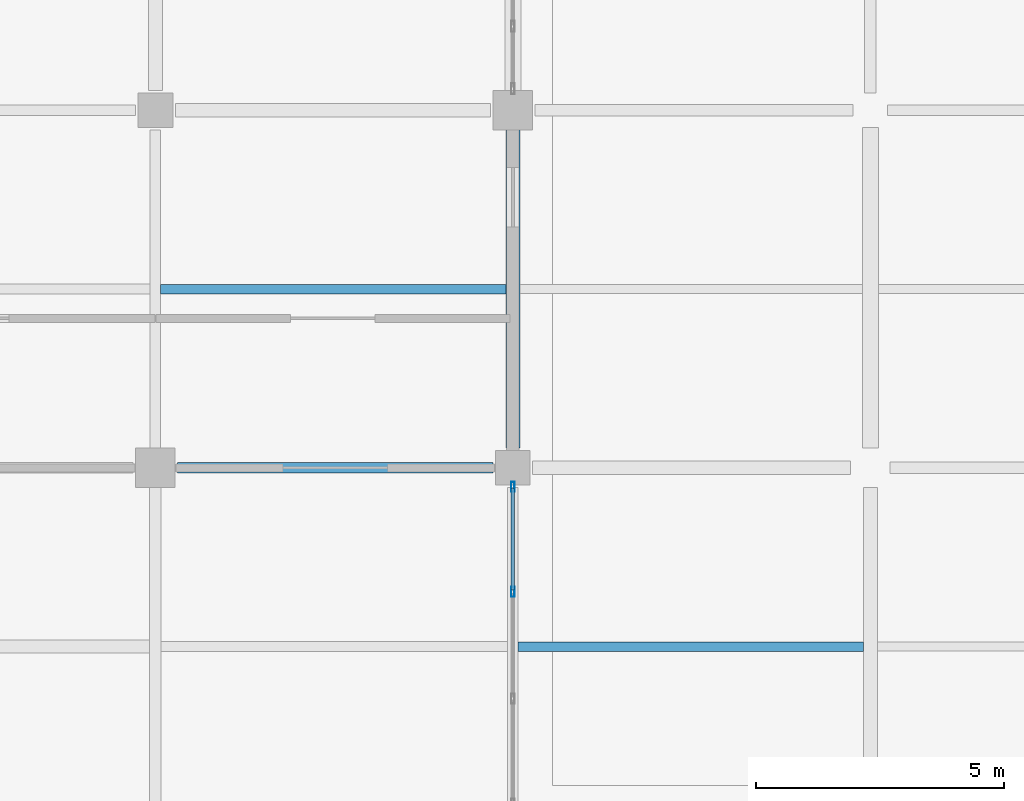
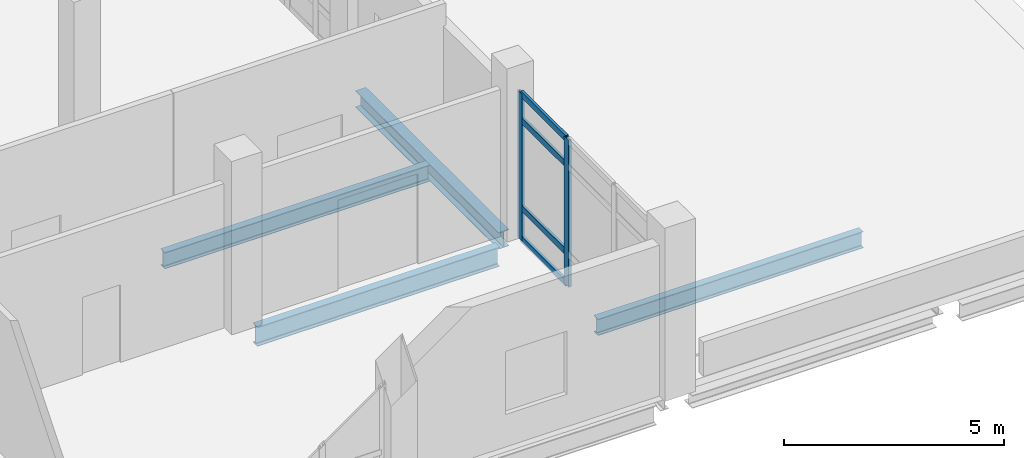
# One storey, part 90 of 153: 6 members, 4 beams, 1 element without a shape of its own.
"""IFC4 building model written with IfcOpenShell, lengths in metres."""

import ifcopenshell
import ifcopenshell.guid

model = None  # the IFC model being written
_history = None  # IfcOwnerHistory: only IFC2X3 demands one
_inside = {}  # id of a spatial element -> (the spatial element, [elements in it])
_under = {}  # id of a project, library or spatial element -> (it, [spatial elements below it])
_declared = {}  # id of a project -> (the project, [libraries it declares])
_typed = {}  # id of a type object -> (the type object, [elements of that type])
_made_of = {}  # id of a material, layer set ... -> (it, [elements and type objects made of it])


def new_model(schema):
    """Start an empty IFC model of exactly this schema.

    Asked for "IFC4X3", IfcOpenShell would pick the latest addendum, in which some entities
    have other attributes; the version numbers below select the first issue.
    IFC2X3 requires an IfcOwnerHistory on every rooted entity: one is made here for all.
    """
    global model, _history
    if schema == "IFC4X3":
        model = ifcopenshell.file(schema_version=(4, 3, 0, 0))
    else:
        model = ifcopenshell.file(schema=schema)
    _inside.clear()
    _under.clear()
    _declared.clear()
    _typed.clear()
    _made_of.clear()
    _history = None
    if model.schema == "IFC2X3":
        org = make("IfcOrganization", Name="unknown")
        user = make(
            "IfcPersonAndOrganization",
            ThePerson=make("IfcPerson", FamilyName="unknown"),
            TheOrganization=org,
        )
        app = make(
            "IfcApplication",
            ApplicationDeveloper=org,
            Version="unknown",
            ApplicationFullName="unknown",
            ApplicationIdentifier="unknown",
        )
        _history = make(
            "IfcOwnerHistory",
            OwningUser=user,
            OwningApplication=app,
            ChangeAction="ADDED",
            CreationDate=0,
        )
    return model


def make(cls, **values):
    """One entity of the class cls with the attributes given. An attribute that is None is left unset."""
    return model.create_entity(
        cls, **{name: value for name, value in values.items() if value is not None}
    )


def rooted(cls, **values):
    """An entity with a GlobalId (a new one), such as an element, a storey or a relation."""
    return make(cls, GlobalId=ifcopenshell.guid.new(), OwnerHistory=_history, **values)


def si_unit(unit_type, name, prefix=None):
    """IfcSIUnit, for example si_unit("LENGTHUNIT", "METRE", prefix="MILLI")."""
    return make("IfcSIUnit", UnitType=unit_type, Prefix=prefix, Name=name)


def assignment(units):
    """IfcUnitAssignment: the units of a project."""
    return None if units is None else make("IfcUnitAssignment", Units=units)


def point(xyz):
    """IfcCartesianPoint."""
    return None if xyz is None else make("IfcCartesianPoint", Coordinates=xyz)


def direction(xyz):
    """IfcDirection."""
    return None if xyz is None else make("IfcDirection", DirectionRatios=xyz)


def frame(location, z_axis=None, x_axis=None):
    """IfcAxis2Placement3D, a coordinate frame: its origin and axes. An axis left out is left unset."""
    return make(
        "IfcAxis2Placement3D",
        Location=point(location),
        Axis=direction(z_axis),
        RefDirection=direction(x_axis),
    )


def frame_2d(location, x_axis=None):
    """IfcAxis2Placement2D, a coordinate frame in the plane: its origin and x axis."""
    return make(
        "IfcAxis2Placement2D", Location=point(location), RefDirection=direction(x_axis)
    )


def origin():
    """The frame at (0, 0, 0) with its axes left unset."""
    return frame((0.0, 0.0, 0.0))


def origin_2d():
    """The frame at (0, 0) in the plane with its x axis left unset."""
    return frame_2d((0.0, 0.0))


def place(relative_to, where):
    """IfcLocalPlacement: puts the frame where relative to a parent placement (None: the world)."""
    return make(
        "IfcLocalPlacement", PlacementRelTo=relative_to, RelativePlacement=where
    )


def context(
    kind, dimensions, precision=None, world=None, true_north=None, identifier=None
):
    """IfcGeometricRepresentationContext, for example the 3D "Model" context."""
    return make(
        "IfcGeometricRepresentationContext",
        ContextIdentifier=identifier,
        ContextType=kind,
        CoordinateSpaceDimension=dimensions,
        Precision=precision,
        WorldCoordinateSystem=world,
        TrueNorth=true_north,
    )


def subcontext(parent, identifier, kind, view, scale=None):
    """IfcGeometricRepresentationSubContext, for example "Body" below "Model"."""
    return make(
        "IfcGeometricRepresentationSubContext",
        ContextIdentifier=identifier,
        ContextType=kind,
        ParentContext=parent,
        TargetScale=scale,
        TargetView=view,
    )


def project(units=None, contexts=None):
    """IfcProject with its units and contexts."""
    return rooted(
        "IfcProject",
        Name="project",
        RepresentationContexts=contexts,
        UnitsInContext=assignment(units),
    )


def spatial(cls, under=None, at=None, **own):
    """A site, building, storey or space (cls), placed at a placement, below another one or the project."""
    s = rooted(cls, ObjectPlacement=at, **own)
    if under is not None:
        _under.setdefault(under.id(), (under, []))[1].append(s)
    return s


def profile(cls, at=None, kind="AREA", **sizes):
    """A parametric profile (cls). Its sizes go by their IFC names, for example OverallWidth=200.0."""
    return make(cls, ProfileType=kind, Position=at, **sizes)


def hollow_rectangle(**sizes):
    """IfcRectangleHollowProfileDef."""
    return profile("IfcRectangleHollowProfileDef", **sizes)


def i_section(**sizes):
    """IfcIShapeProfileDef."""
    return profile("IfcIShapeProfileDef", **sizes)


def extrude(swept, where, along, depth):
    """IfcExtrudedAreaSolid: the profile swept, set in the frame where, extruded along a direction by depth."""
    return make(
        "IfcExtrudedAreaSolid",
        SweptArea=swept,
        Position=where,
        ExtrudedDirection=direction(along),
        Depth=depth,
    )


def shape(context_of_items, identifier, shape_type, items):
    """IfcShapeRepresentation: the items that make up one representation, for example the "Body"."""
    return make(
        "IfcShapeRepresentation",
        ContextOfItems=context_of_items,
        RepresentationIdentifier=identifier,
        RepresentationType=shape_type,
        Items=items,
    )


def material(Name=None, Category=None):
    """IfcMaterial."""
    return make("IfcMaterial", Name=Name, Category=Category)


def layer(
    of_material, thickness, ventilated=None, Name=None, Category=None, Priority=None
):
    """IfcMaterialLayer: one layer of a wall or slab, of a material (None: an air gap)."""
    return make(
        "IfcMaterialLayer",
        Material=of_material,
        LayerThickness=thickness,
        IsVentilated=ventilated,
        Name=Name,
        Category=Category,
        Priority=Priority,
    )


def layer_set(layers, Name=None):
    """IfcMaterialLayerSet."""
    return make("IfcMaterialLayerSet", MaterialLayers=layers, LayerSetName=Name)


def material_profile(
    of_material, cross_section, Name=None, Category=None, Priority=None
):
    """IfcMaterialProfile: a cross section and its material."""
    return make(
        "IfcMaterialProfile",
        Name=Name,
        Material=of_material,
        Profile=cross_section,
        Priority=Priority,
        Category=Category,
    )


def profile_set(profiles, Name=None, composite=None):
    """IfcMaterialProfileSet."""
    return make(
        "IfcMaterialProfileSet",
        Name=Name,
        MaterialProfiles=profiles,
        CompositeProfile=composite,
    )


def made_of(thing, what):
    """Note that an element or type object is made of a material, layer set ...; save() writes the relation."""
    if what is not None:
        _made_of.setdefault(what.id(), (what, []))[1].append(thing)
    return thing


def type_object(cls, material=None, **own):
    """A type object (cls), such as IfcWallType, which elements share."""
    return made_of(rooted(cls, **own), material)


def element(
    cls,
    number,
    at=None,
    inside=None,
    cuts=None,
    type_object=None,
    material=None,
    context=None,
    identifier="Body",
    shape_type=None,
    held_by="IfcProductDefinitionShape",
    body=None,
    shapes=None,
    **own,
):
    """One element of the class cls, such as IfcWall. Its Tag is "e" and its number.

    at: its placement. inside: the storey or other place that contains it. cuts: it is an
    opening in that element (IfcRelVoidsElement). A single representation is given by context,
    identifier, shape_type and body (its items); several are given by shapes. held_by: the class
    of the entity that holds the representations. save() writes the other relations.
    """
    e = rooted(cls, Tag="e%d" % number, ObjectPlacement=at, **own)
    if body is not None:
        shapes = [shape(context, identifier, shape_type, body)]
    if shapes is not None:
        e.Representation = make(held_by, Representations=shapes)
    if inside is not None:
        _inside.setdefault(inside.id(), (inside, []))[1].append(e)
    if cuts is not None:
        rooted(
            "IfcRelVoidsElement", RelatingBuildingElement=cuts, RelatedOpeningElement=e
        )
    if type_object is not None:
        _typed.setdefault(type_object.id(), (type_object, []))[1].append(e)
    return made_of(e, material)


def aggregate(whole, parts):
    """IfcRelAggregates: a whole, such as a stair, and the parts it consists of."""
    return rooted("IfcRelAggregates", RelatingObject=whole, RelatedObjects=parts)


def save(model, path):
    """Write the relations noted so far, then the file.

    IfcRelAggregates (storeys below a building ...), IfcRelContainedInSpatialStructure (elements
    in a storey), IfcRelDefinesByType, IfcRelAssociatesMaterial and IfcRelDeclares: one each for
    every whole, place, type object, material and project.
    """
    for whole, parts in _under.values():
        aggregate(whole, parts)
    for where, things in _inside.values():
        rooted(
            "IfcRelContainedInSpatialStructure",
            RelatedElements=things,
            RelatingStructure=where,
        )
    for kind, things in _typed.values():
        rooted("IfcRelDefinesByType", RelatedObjects=things, RelatingType=kind)
    for what, things in _made_of.values():
        rooted("IfcRelAssociatesMaterial", RelatedObjects=things, RelatingMaterial=what)
    for by, libraries in _declared.values():
        rooted("IfcRelDeclares", RelatingContext=by, RelatedDefinitions=libraries)
    model.write(path)


model = new_model("IFC4")

# Units and contexts
model_context = context("Model", 3, precision=1e-05, world=origin(), true_north=direction((0.0, 1.0)))
body_context = subcontext(model_context, "Body", "Model", "MODEL_VIEW")
ifc_project = project(units=[si_unit("LENGTHUNIT", "METRE"), si_unit("AREAUNIT", "SQUARE_METRE"), si_unit("VOLUMEUNIT", "CUBIC_METRE"), si_unit("PLANEANGLEUNIT", "RADIAN"), si_unit("MASSUNIT", "GRAM", prefix="KILO")], contexts=[model_context])

# Site, building, storey
site_placement = place(None, origin())
site = spatial("IfcSite", under=ifc_project, at=site_placement, CompositionType="ELEMENT")
building_placement = place(site_placement, origin())
building = spatial("IfcBuilding", under=site, at=building_placement, Name="Calvrana Isthmian Art Gallery", CompositionType="ELEMENT")
storey_placement = place(building_placement, frame((0.0, 0.0, 10.199951171875)))
storey = spatial("IfcBuildingStorey", under=building, at=storey_placement, Name="L02", CompositionType="ELEMENT", Elevation=10.199951171875)

# Beams
ifc_material_1 = material(Name="Steel ASTM A992 Gr 50", Category="steel")
ifc_material_profile_1 = material_profile(ifc_material_1, i_section(OverallWidth=0.279052734375, OverallDepth=0.4619140625, WebThickness=0.0107421875, FlangeThickness=0.017333984375, FilletRadius=0.02001953125, at=origin_2d()), Name="W18X76")
ifc_profile_set_1 = profile_set([ifc_material_profile_1], Name="Steel ASTM A992 Gr 50")
beam_type_1 = type_object("IfcBeamType", Name="BM-G-W18X76", PredefinedType="BEAM", material=ifc_profile_set_1)
beam_1_placement = place(storey_placement, frame((134.39990234375, 84.39990234375, -0.495849609375), z_axis=(0.0, 1.0, 0.0), x_axis=(-1.0, 0.0, 0.0)))
element("IfcBeam", 1, at=beam_1_placement, inside=storey, type_object=beam_type_1, Name="Girder Y L02 18/L-M", PredefinedType="BEAM", context=body_context, shape_type="SweptSolid", body=[
    extrude(i_section(OverallWidth=0.279052734375, OverallDepth=0.4619140625, WebThickness=0.0107421875, FlangeThickness=0.017333984375, FilletRadius=0.02001953125, at=origin_2d()), origin(), (0.0, 0.0, 1.0), 6.5),
])
ifc_material_profile_2 = material_profile(ifc_material_1, i_section(OverallWidth=0.208984375, OverallDepth=0.532958984375, WebThickness=0.01025390625, FlangeThickness=0.015625, FilletRadius=0.02099609375, at=origin_2d()), Name="W21X62")
ifc_profile_set_2 = profile_set([ifc_material_profile_2], Name="Steel ASTM A992 Gr 50")
beam_type_2 = type_object("IfcBeamType", Name="BM-G-W21X62", PredefinedType="BEAM", material=ifc_profile_set_2)
beam_2_placement = place(storey_placement, frame((127.64990234375, 84.0, -0.531494140625), z_axis=(1.0, 0.0, 0.0), x_axis=(0.0, 1.0, 0.0)))
element("IfcBeam", 2, at=beam_2_placement, inside=storey, type_object=beam_type_2, Name="Girder X L02 17-18/L", PredefinedType="BEAM", context=body_context, shape_type="SweptSolid", body=[
    extrude(i_section(OverallWidth=0.208984375, OverallDepth=0.532958984375, WebThickness=0.01025390625, FlangeThickness=0.015625, FilletRadius=0.02099609375, at=origin_2d()), origin(), (0.0, 0.0, 1.0), 6.35009765625),
])
ifc_material_profile_3 = material_profile(ifc_material_1, i_section(OverallWidth=0.19091796875, OverallDepth=0.45703125, WebThickness=0.009033203125, FlangeThickness=0.014404296875, FilletRadius=0.02001953125, at=origin_2d()), Name="W18X50")
ifc_profile_set_3 = profile_set([ifc_material_profile_3], Name="Steel ASTM A992 Gr 50")
beam_type_3 = type_object("IfcBeamType", Name="BM-J-W18X50", PredefinedType="JOIST", material=ifc_profile_set_3)
for number, where, z_axis, x_axis, name in (
    (3, (127.304443359375, 87.60009765625, -0.493408203125), (1.0, 0.0, 0.0), (0.0, 1.0, 0.0), "Composite joist L02 bay 16-11"),
    (4, (134.50439453125, 80.39990234375, -0.493408203125), (1.0, 0.0, 0.0), (0.0, 1.0, 0.0), "Composite joist L02 bay 17-10"),
):
    element("IfcBeam", number, at=place(storey_placement, frame(where, z_axis=z_axis, x_axis=x_axis)), inside=storey, type_object=beam_type_3, Name=name, PredefinedType="JOIST", context=body_context, shape_type="SweptSolid", body=[
        extrude(i_section(OverallWidth=0.19091796875, OverallDepth=0.45703125, WebThickness=0.009033203125, FlangeThickness=0.014404296875, FilletRadius=0.02001953125, at=origin_2d()), origin(), (0.0, 0.0, 1.0), 6.9560546875),
    ])

# Curtain wall, members
ifc_material_2 = material(Name="Anodized bronze aluminium 6063-T6", Category="aluminium")
ifc_layer = layer(ifc_material_2, 0.179931640625, Name="Anodized bronze aluminium 6063-T6")
ifc_layer_set = layer_set([ifc_layer], Name="Anodized bronze aluminium 6063-T6")
curtain_wall_type = type_object("IfcCurtainWallType", Name="CW-UNIT-065X41", PredefinedType="USERDEFINED", material=ifc_layer_set)
curtain_wall_placement = place(storey_placement, origin())
curtain_wall = element("IfcCurtainWall", 5, at=curtain_wall_placement, inside=storey, type_object=curtain_wall_type, Name="Curtain wall CW-183", ObjectType="UNITISED CURTAIN WALL", PredefinedType="USERDEFINED")
ifc_material_profile_4 = material_profile(ifc_material_2, hollow_rectangle(XDim=0.070068359375, YDim=0.199951171875, WallThickness=0.0048828125, at=origin_2d()), Name="CWM70X200")
ifc_profile_set_4 = profile_set([ifc_material_profile_4], Name="Anodized bronze aluminium 6063-T6")
member_type_1 = type_object("IfcMemberType", Name="CWM-CWM70X200", PredefinedType="MULLION", material=ifc_profile_set_4)
member_1_placement = place(storey_placement, frame((134.39990234375, 83.614990234375, 0.0), z_axis=(0.0, 0.0, 1.0), x_axis=(1.0, 0.0, 0.0)))
member_1 = element("IfcMember", 6, at=member_1_placement, type_object=member_type_1, Name="CW-183 mullion 1", PredefinedType="MULLION", context=body_context, shape_type="SweptSolid", body=[
    extrude(hollow_rectangle(XDim=0.070068359375, YDim=0.199951171875, WallThickness=0.0048828125, at=origin_2d()), origin(), (0.0, 0.0, 1.0), 4.078125),
])
member_2_placement = place(storey_placement, frame((134.39990234375, 81.5, 0.0), z_axis=(0.0, 0.0, 1.0), x_axis=(1.0, 0.0, 0.0)))
member_2 = element("IfcMember", 7, at=member_2_placement, type_object=member_type_1, Name="CW-183 mullion 2", PredefinedType="MULLION", context=body_context, shape_type="SweptSolid", body=[
    extrude(hollow_rectangle(XDim=0.070068359375, YDim=0.199951171875, WallThickness=0.0048828125, at=origin_2d()), origin(), (0.0, 0.0, 1.0), 4.078125),
])
ifc_material_profile_5 = material_profile(ifc_material_2, hollow_rectangle(XDim=0.070068359375, YDim=0.169921875, WallThickness=0.00439453125, at=origin_2d()), Name="CWT70X170")
ifc_profile_set_5 = profile_set([ifc_material_profile_5], Name="Anodized bronze aluminium 6063-T6")
member_type_2 = type_object("IfcMemberType", Name="CWT-CWT70X170", PredefinedType="USERDEFINED", material=ifc_profile_set_5)
member_3_placement = place(storey_placement, frame((134.39990234375, 83.580078125, 0.03515625), z_axis=(0.0, -1.0, 0.0), x_axis=(1.0, 0.0, 0.0)))
member_3 = element("IfcMember", 8, at=member_3_placement, type_object=member_type_2, Name="CW-183 transom 1.1", ObjectType="TRANSOM", PredefinedType="USERDEFINED", context=body_context, shape_type="SweptSolid", body=[
    extrude(hollow_rectangle(XDim=0.070068359375, YDim=0.169921875, WallThickness=0.00439453125, at=origin_2d()), origin(), (0.0, 0.0, 1.0), 2.045166015625),
])
member_4_placement = place(storey_placement, frame((134.39990234375, 83.580078125, 0.900146484375), z_axis=(0.0, -1.0, 0.0), x_axis=(1.0, 0.0, 0.0)))
member_4 = element("IfcMember", 9, at=member_4_placement, type_object=member_type_2, Name="CW-183 transom 1.2", ObjectType="TRANSOM", PredefinedType="USERDEFINED", context=body_context, shape_type="SweptSolid", body=[
    extrude(hollow_rectangle(XDim=0.070068359375, YDim=0.169921875, WallThickness=0.00439453125, at=origin_2d()), origin(), (0.0, 0.0, 1.0), 2.045166015625),
])
member_5_placement = place(storey_placement, frame((134.39990234375, 83.580078125, 3.328125), z_axis=(0.0, -1.0, 0.0), x_axis=(1.0, 0.0, 0.0)))
member_5 = element("IfcMember", 10, at=member_5_placement, type_object=member_type_2, Name="CW-183 transom 1.3", ObjectType="TRANSOM", PredefinedType="USERDEFINED", context=body_context, shape_type="SweptSolid", body=[
    extrude(hollow_rectangle(XDim=0.070068359375, YDim=0.169921875, WallThickness=0.00439453125, at=origin_2d()), origin(), (0.0, 0.0, 1.0), 2.045166015625),
])
member_6_placement = place(storey_placement, frame((134.39990234375, 83.580078125, 4.04296875), z_axis=(0.0, -1.0, 0.0), x_axis=(1.0, 0.0, 0.0)))
member_6 = element("IfcMember", 11, at=member_6_placement, type_object=member_type_2, Name="CW-183 transom 1.4", ObjectType="TRANSOM", PredefinedType="USERDEFINED", context=body_context, shape_type="SweptSolid", body=[
    extrude(hollow_rectangle(XDim=0.070068359375, YDim=0.169921875, WallThickness=0.00439453125, at=origin_2d()), origin(), (0.0, 0.0, 1.0), 2.045166015625),
])
aggregate(curtain_wall, [member_1, member_2, member_3, member_4, member_5, member_6])

save(model, "model.ifc")
